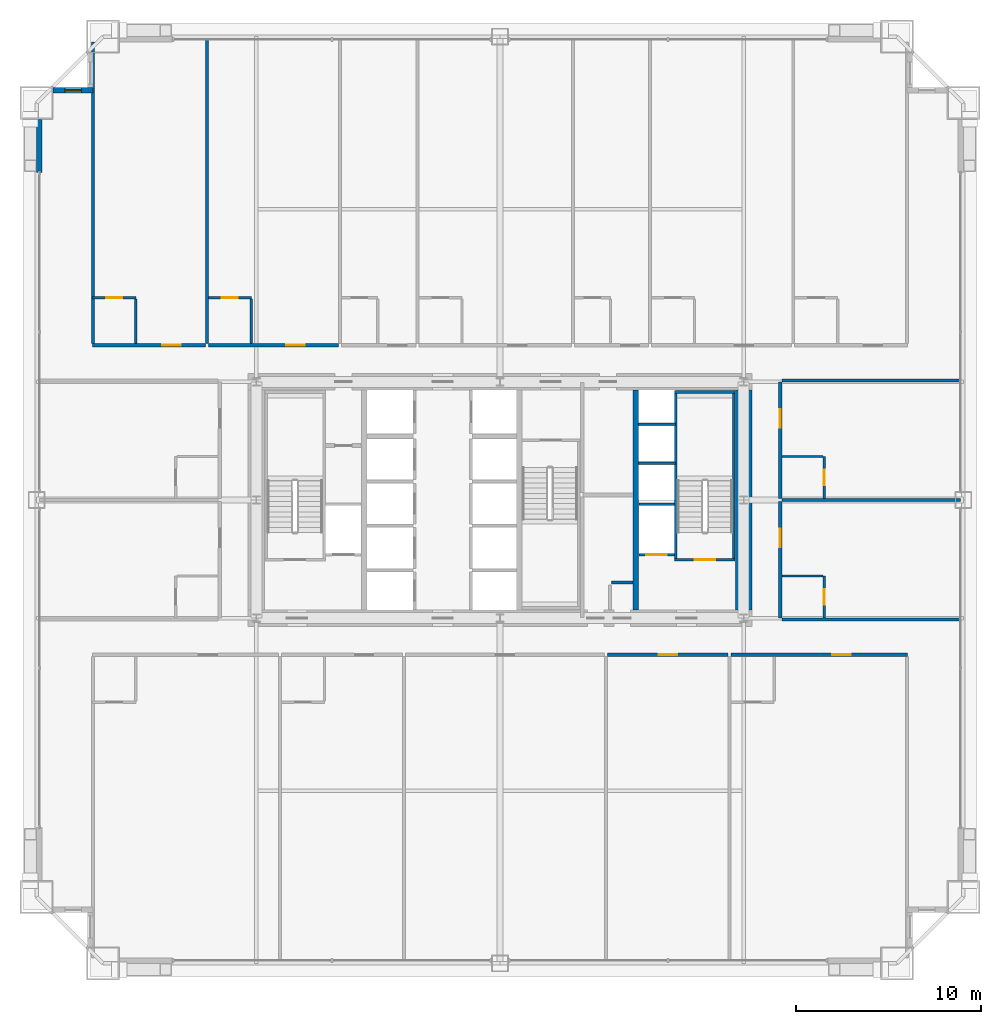
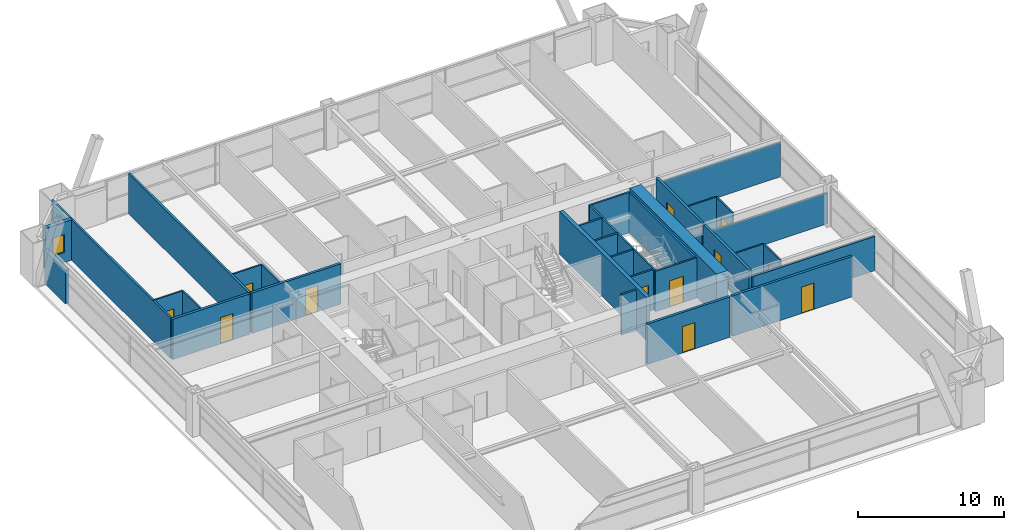
# One storey, part 41 of 43: 32 walls, 12 doors, 1 window, 13 openings.
"""IFC4 building model written with IfcOpenShell, lengths in metres."""

from ifc_helpers import new_model, si_unit, direction, frame, frame_2d, origin, place, context, subcontext, project, spatial, rectangle, extrude, source, transform, mapped, material, layer, layer_set, type_object, element, fill, save


model = new_model("IFC4")

# Units and contexts
model_context = context("Model", 3, precision=1e-05, world=origin(), true_north=direction((0.0, 1.0)))
body_context = subcontext(model_context, "Body", "Model", "MODEL_VIEW")
ifc_project = project(units=[si_unit("LENGTHUNIT", "METRE"), si_unit("AREAUNIT", "SQUARE_METRE"), si_unit("VOLUMEUNIT", "CUBIC_METRE"), si_unit("PLANEANGLEUNIT", "RADIAN"), si_unit("MASSUNIT", "GRAM", prefix="KILO"), si_unit("THERMODYNAMICTEMPERATUREUNIT", "KELVIN"), si_unit("POWERUNIT", "WATT")], contexts=[model_context])

# Site, building, storey
site_placement = place(None, origin())
site = spatial("IfcSite", under=ifc_project, at=site_placement, CompositionType="ELEMENT")
building_placement = place(site_placement, origin())
building = spatial("IfcBuilding", under=site, at=building_placement, Name="Yuzanri Waterfront Tower", CompositionType="ELEMENT")
storey_placement = place(building_placement, frame((0.0, 0.0, 53.199951171875)))
storey = spatial("IfcBuildingStorey", under=building, at=storey_placement, Name="L13", CompositionType="ELEMENT", Elevation=53.199951171875)

# Wall, opening, door
ifc_material_1 = material(Name="Moisture-Resistant Gypsum Stud Wall", Category="gypsum")
ifc_layer_1 = layer(ifc_material_1, 0.1201171875)
ifc_layer_set_1 = layer_set([ifc_layer_1], Name="Moisture-Resistant Gypsum Stud Wall")
wall_type_1 = type_object("IfcWallType", Name="Bathroom and Kitchen Wet Partition 120", PredefinedType="PARTITIONING", material=ifc_layer_set_1)
wall_1_placement = place(storey_placement, frame((14.93994140625, 36.760009765625, 0.0), z_axis=(0.0, 0.0, 1.0), x_axis=(1.0, 0.0, 0.0)))
wall_1 = element("IfcWall", 1, at=wall_1_placement, inside=storey, type_object=wall_type_1, Name="L13 Partition UW-L13-N1-BN", PredefinedType="PARTITIONING", context=body_context, shape_type="SweptSolid", body=[
    extrude(rectangle(XDim=2.330078125, YDim=0.1201171875, at=frame_2d((1.1650390625, 0.0))), origin(), (0.0, 0.0, 1.0), 3.380126953125),
])
opening_1_placement = place(wall_1_placement, frame((0.739990234375, 0.0, 0.0)))
opening_1 = element("IfcOpeningElement", 2, at=opening_1_placement, cuts=wall_1, Name="Opening ID-0850", PredefinedType="OPENING", context=body_context, shape_type="SweptSolid", body=[
    extrude(rectangle(XDim=0.85009765625, YDim=2.10009765625, at=frame_2d((0.425048828125, 1.050048828125))), frame((0.0, 0.074951171875, 0.0), z_axis=(0.0, -1.0, 0.0), x_axis=(1.0, 0.0, 0.0)), (0.0, 0.0, 1.0), 0.14990234375),
])
ifc_material_2 = material(Name="Moisture-Resistant Lacquered Timber", Category="wood")
door_type_1 = type_object("IfcDoorType", Name="En-Suite Bathroom and Kitchen Swing Door 850x2100", OperationType="NOTDEFINED", PredefinedType="DOOR", material=ifc_material_2)
shared_shape_1 = source(origin(), body_context, "Body", "SweptSolid", [
    extrude(rectangle(XDim=0.85009765625, YDim=2.10009765625, at=frame_2d((0.425048828125, 1.050048828125))), frame((0.0, 0.02490234375, 0.0), z_axis=(0.0, -1.0, 0.0), x_axis=(1.0, 0.0, 0.0)), (0.0, 0.0, 1.0), 0.050048828125),
])
door_1_placement = place(opening_1_placement, origin())
door_1 = element("IfcDoor", 3, at=door_1_placement, inside=storey, type_object=door_type_1, Name="L13 Guest En-Suite Door", OperationType="SINGLE_SWING_LEFT", OverallHeight=2.10009765625, OverallWidth=0.85009765625, PredefinedType="DOOR", context=body_context, shape_type="MappedRepresentation", body=[
    mapped(shared_shape_1, transform((0.0, 0.0, 0.0), scale=1.0)),
])
fill(opening_1, door_1)

wall_2_placement = place(storey_placement, frame((21.197021484375, 36.760009765625, 0.0), z_axis=(0.0, 0.0, 1.0), x_axis=(1.0, 0.0, 0.0)))
wall_2 = element("IfcWall", 4, at=wall_2_placement, inside=storey, type_object=wall_type_1, Name="L13 Partition UW-L13-N2-BN", PredefinedType="PARTITIONING", context=body_context, shape_type="SweptSolid", body=[
    extrude(rectangle(XDim=2.330078125, YDim=0.1201171875, at=frame_2d((1.1650390625, 0.0))), origin(), (0.0, 0.0, 1.0), 3.380126953125),
])
opening_2_placement = place(wall_2_placement, frame((0.739990234375, 0.0, 0.0)))
opening_2 = element("IfcOpeningElement", 5, at=opening_2_placement, cuts=wall_2, Name="Opening ID-0850", PredefinedType="OPENING", context=body_context, shape_type="SweptSolid", body=[
    extrude(rectangle(XDim=0.85009765625, YDim=2.10009765625, at=frame_2d((0.425048828125, 1.050048828125))), frame((0.0, 0.074951171875, 0.0), z_axis=(0.0, -1.0, 0.0), x_axis=(1.0, 0.0, 0.0)), (0.0, 0.0, 1.0), 0.14990234375),
])
door_2_placement = place(opening_2_placement, origin())
door_2 = element("IfcDoor", 6, at=door_2_placement, inside=storey, type_object=door_type_1, Name="L13 Guest En-Suite Door", OperationType="SINGLE_SWING_LEFT", OverallHeight=2.10009765625, OverallWidth=0.85009765625, PredefinedType="DOOR", context=body_context, shape_type="MappedRepresentation", body=[
    mapped(shared_shape_1, transform((0.0, 0.0, 0.0), scale=1.0)),
])
fill(opening_2, door_2)

wall_3_placement = place(storey_placement, frame((54.56005859375, 19.409912109375, 0.0), z_axis=(0.0, 0.0, 1.0), x_axis=(0.0, 1.0, 0.0)))
wall_3 = element("IfcWall", 7, at=wall_3_placement, inside=storey, type_object=wall_type_1, Name="L13 Partition UW-L13-E1-BE2", PredefinedType="PARTITIONING", context=body_context, shape_type="SweptSolid", body=[
    extrude(rectangle(XDim=2.280029296875, YDim=0.1201171875, at=frame_2d((1.14013671875, 0.0))), origin(), (0.0, 0.0, 1.0), 3.380126953125),
])
opening_3_placement = place(wall_3_placement, frame((0.715087890625, 0.0, 0.0)))
opening_3 = element("IfcOpeningElement", 8, at=opening_3_placement, cuts=wall_3, Name="Opening ID-0850", PredefinedType="OPENING", context=body_context, shape_type="SweptSolid", body=[
    extrude(rectangle(XDim=0.85009765625, YDim=2.10009765625, at=frame_2d((0.425048828125, 1.050048828125))), frame((0.0, 0.074951171875, 0.0), z_axis=(0.0, -1.0, 0.0), x_axis=(1.0, 0.0, 0.0)), (0.0, 0.0, 1.0), 0.14990234375),
])
door_3_placement = place(opening_3_placement, origin())
door_3 = element("IfcDoor", 9, at=door_3_placement, inside=storey, type_object=door_type_1, Name="L13 Guest En-Suite Door", OperationType="SINGLE_SWING_LEFT", OverallHeight=2.10009765625, OverallWidth=0.85009765625, PredefinedType="DOOR", context=body_context, shape_type="MappedRepresentation", body=[
    mapped(shared_shape_1, transform((0.0, 0.0, 0.0), scale=1.0)),
])
fill(opening_3, door_3)

wall_4_placement = place(storey_placement, frame((54.56005859375, 25.8798828125, 0.0), z_axis=(0.0, 0.0, 1.0), x_axis=(0.0, 1.0, 0.0)))
wall_4 = element("IfcWall", 10, at=wall_4_placement, inside=storey, type_object=wall_type_1, Name="L13 Partition UW-L13-E2-BE2", PredefinedType="PARTITIONING", context=body_context, shape_type="SweptSolid", body=[
    extrude(rectangle(XDim=2.280029296875, YDim=0.1201171875, at=frame_2d((1.14013671875, 0.0))), origin(), (0.0, 0.0, 1.0), 3.380126953125),
])
opening_4_placement = place(wall_4_placement, frame((0.715087890625, 0.0, 0.0)))
opening_4 = element("IfcOpeningElement", 11, at=opening_4_placement, cuts=wall_4, Name="Opening ID-0850", PredefinedType="OPENING", context=body_context, shape_type="SweptSolid", body=[
    extrude(rectangle(XDim=0.85009765625, YDim=2.10009765625, at=frame_2d((0.425048828125, 1.050048828125))), frame((0.0, 0.074951171875, 0.0), z_axis=(0.0, -1.0, 0.0), x_axis=(1.0, 0.0, 0.0)), (0.0, 0.0, 1.0), 0.14990234375),
])
door_4_placement = place(opening_4_placement, origin())
door_4 = element("IfcDoor", 12, at=door_4_placement, inside=storey, type_object=door_type_1, Name="L13 Guest En-Suite Door", OperationType="SINGLE_SWING_LEFT", OverallHeight=2.10009765625, OverallWidth=0.85009765625, PredefinedType="DOOR", context=body_context, shape_type="MappedRepresentation", body=[
    mapped(shared_shape_1, transform((0.0, 0.0, 0.0), scale=1.0)),
])
fill(opening_4, door_4)

# Wall, opening, window
ifc_material_3 = material(Name="Honed Chongqing Dark Basalt Stone", Category="masonry")
ifc_layer_2 = layer(ifc_material_3, 0.300048828125)
ifc_layer_set_2 = layer_set([ifc_layer_2], Name="Honed Chongqing Dark Basalt Stone")
wall_type_2 = type_object("IfcWallType", Name="Bronze Rainscreen Insulated Spandrel Portal Wall 300", PredefinedType="SOLIDWALL", material=ifc_layer_set_2)
wall_5_placement = place(storey_placement, frame((14.949951171875, 48.0, 0.0), z_axis=(0.0, 0.0, 1.0), x_axis=(-1.0, 0.0, 0.0)))
wall_5 = element("IfcWall", 13, at=wall_5_placement, inside=storey, type_object=wall_type_2, Name="L13 Notched Corner Masonry Wall NW-X", PredefinedType="SOLIDWALL", context=body_context, shape_type="SweptSolid", body=[
    extrude(rectangle(XDim=2.14990234375, YDim=0.300048828125, at=frame_2d((1.074951171875, 0.0))), origin(), (0.0, 0.0, 1.0), 3.380126953125),
])
opening_5_placement = place(wall_5_placement, frame((0.625, 0.0, 0.85009765625)))
opening_5 = element("IfcOpeningElement", 14, at=opening_5_placement, cuts=wall_5, Name="Opening WN-05", PredefinedType="OPENING", context=body_context, shape_type="SweptSolid", body=[
    extrude(rectangle(XDim=0.89990234375, YDim=1.5, at=frame_2d((0.449951171875, 0.75))), frame((0.0, 0.1650390625, 0.0), z_axis=(0.0, -1.0, 0.0), x_axis=(1.0, 0.0, 0.0)), (0.0, 0.0, 1.0), 0.329833984375),
])
ifc_material_4 = material(Name="Double-Silver Low-E Insulated Glass", Category="glass")
window_type = type_object("IfcWindowType", Name="Anodized Bronze Service and Stairwell Smoke-Vent Window 900x1500", PartitioningType="SINGLE_PANEL", PredefinedType="WINDOW", material=ifc_material_4)
shared_shape_2 = source(origin(), body_context, "Body", "SweptSolid", [
    extrude(rectangle(XDim=0.89990234375, YDim=1.5, at=frame_2d((0.449951171875, 0.75))), frame((0.0, 0.030029296875, 0.0), z_axis=(0.0, -1.0, 0.0), x_axis=(1.0, 0.0, 0.0)), (0.0, 0.0, 1.0), 0.06005859375),
])
window_placement = place(opening_5_placement, origin())
window = element("IfcWindow", 15, at=window_placement, inside=storey, type_object=window_type, Name="L13 Notched Corner Window NW-X", OverallHeight=1.5, OverallWidth=0.89990234375, PartitioningType="SINGLE_PANEL", PredefinedType="WINDOW", context=body_context, shape_type="MappedRepresentation", body=[
    mapped(shared_shape_2, transform((0.0, 0.0, 0.0), scale=1.0)),
])
fill(opening_5, window)

# Wall, opening, door
ifc_material_5 = material(Name="Concrete C40", Category="concrete")
ifc_layer_3 = layer(ifc_material_5, 0.139892578125)
ifc_layer_set_3 = layer_set([ifc_layer_3], Name="Concrete C40")
wall_type_3 = type_object("IfcWallType", Name="Core Stair Liner and Hoistway Shaft Wall 140", PredefinedType="SOLIDWALL", material=ifc_layer_set_3)
wall_6_placement = place(storey_placement, frame((44.52001953125, 22.830078125, 0.0), z_axis=(0.0, 0.0, 1.0), x_axis=(1.0, 0.0, 0.0)))
wall_6 = element("IfcWall", 16, at=wall_6_placement, inside=storey, type_object=wall_type_3, Name="L13 Lift FL-02 Front Shaft Wall", PredefinedType="SOLIDWALL", context=body_context, shape_type="SweptSolid", body=[
    extrude(rectangle(XDim=1.919921875, YDim=0.139892578125, at=frame_2d((0.9599609375, 0.0))), origin(), (0.0, 0.0, 1.0), 3.380126953125),
])
opening_6_placement = place(wall_6_placement, frame((0.409912109375, 0.0, 0.0)))
opening_6 = element("IfcOpeningElement", 17, at=opening_6_placement, cuts=wall_6, Name="Opening LD-FL-02", PredefinedType="OPENING", context=body_context, shape_type="SweptSolid", body=[
    extrude(rectangle(XDim=1.10009765625, YDim=2.199951171875, at=frame_2d((0.550048828125, 1.10009765625))), frame((0.0, 0.0849609375, 0.0), z_axis=(0.0, -1.0, 0.0), x_axis=(1.0, 0.0, 0.0)), (0.0, 0.0, 1.0), 0.169677734375),
])
ifc_material_6 = material(Name="Brushed Bronze and Stainless Steel Cab", Category="steel")
door_type_2 = type_object("IfcDoorType", Name="Center-Parting Bronze Lift Landing Sliding Door 1100x2200", OperationType="NOTDEFINED", PredefinedType="DOOR", material=ifc_material_6)
shared_shape_3 = source(origin(), body_context, "Body", "SweptSolid", [
    extrude(rectangle(XDim=1.10009765625, YDim=2.199951171875, at=frame_2d((0.550048828125, 1.10009765625))), frame((0.0, 0.02490234375, 0.0), z_axis=(0.0, -1.0, 0.0), x_axis=(1.0, 0.0, 0.0)), (0.0, 0.0, 1.0), 0.050048828125),
])
door_5_placement = place(opening_6_placement, origin())
door_5 = element("IfcDoor", 18, at=door_5_placement, inside=storey, type_object=door_type_2, Name="L13 FL-02 Lift Landing Sliding Door", OperationType="SLIDING_TO_RIGHT", OverallHeight=2.199951171875, OverallWidth=1.10009765625, PredefinedType="DOOR", context=body_context, shape_type="MappedRepresentation", body=[
    mapped(shared_shape_3, transform((0.0, 0.0, 0.0), scale=1.0)),
])
fill(opening_6, door_5)

wall_7_placement = place(storey_placement, frame((46.4599609375, 22.570068359375, 0.0), z_axis=(0.0, 0.0, 1.0), x_axis=(1.0, 0.0, 0.0)))
wall_7 = element("IfcWall", 19, at=wall_7_placement, inside=storey, type_object=wall_type_3, Name="L13 Shaft Wall STW-L13-ST-02-S", PredefinedType="SOLIDWALL", context=body_context, shape_type="SweptSolid", body=[
    extrude(rectangle(XDim=3.280029296875, YDim=0.139892578125, at=frame_2d((1.64013671875, 0.0))), origin(), (0.0, 0.0, 1.0), 3.380126953125),
])
opening_7_placement = place(wall_7_placement, frame((1.090087890625, 0.0, 0.0)))
opening_7 = element("IfcOpeningElement", 20, at=opening_7_placement, cuts=wall_7, Name="Opening FD-1100", PredefinedType="OPENING", context=body_context, shape_type="SweptSolid", body=[
    extrude(rectangle(XDim=1.10009765625, YDim=2.199951171875, at=frame_2d((0.550048828125, 1.10009765625))), frame((0.0, 0.0849609375, 0.0), z_axis=(0.0, -1.0, 0.0), x_axis=(1.0, 0.0, 0.0)), (0.0, 0.0, 1.0), 0.169677734375),
])
ifc_material_7 = material(Name="Painted Galvanized Fire Steel", Category="steel")
door_type_3 = type_object("IfcDoorType", Name="Smoke-Proof Stair and Lobby Fire Door 1100x2200", OperationType="NOTDEFINED", PredefinedType="DOOR", material=ifc_material_7)
shared_shape_4 = source(origin(), body_context, "Body", "SweptSolid", [
    extrude(rectangle(XDim=1.10009765625, YDim=2.199951171875, at=frame_2d((0.550048828125, 1.10009765625))), frame((0.0, 0.02490234375, 0.0), z_axis=(0.0, -1.0, 0.0), x_axis=(1.0, 0.0, 0.0)), (0.0, 0.0, 1.0), 0.050048828125),
])
door_6_placement = place(opening_7_placement, origin())
door_6 = element("IfcDoor", 21, at=door_6_placement, inside=storey, type_object=door_type_3, Name="L13 Stair ST-02 Fire Door", OperationType="SINGLE_SWING_RIGHT", OverallHeight=2.199951171875, OverallWidth=1.10009765625, PredefinedType="DOOR", context=body_context, shape_type="MappedRepresentation", body=[
    mapped(shared_shape_4, transform((0.0, 0.0, 0.0), scale=1.0)),
])
fill(opening_7, door_6)

ifc_material_8 = material(Name="Autoclaved Aerated Concrete Blockwork", Category="masonry")
ifc_layer_4 = layer(ifc_material_8, 0.199951171875)
ifc_layer_set_4 = layer_set([ifc_layer_4], Name="Autoclaved Aerated Concrete Blockwork")
wall_type_4 = type_object("IfcWallType", Name="Corridor and Unit Party Fire Wall 200", PredefinedType="PARTITIONING", material=ifc_layer_set_4)
wall_8_placement = place(storey_placement, frame((42.81591796875, 17.419921875, 0.0), z_axis=(0.0, 0.0, 1.0), x_axis=(1.0, 0.0, 0.0)))
wall_8 = element("IfcWall", 22, at=wall_8_placement, inside=storey, type_object=wall_type_4, Name="L13 Partition UW-L13-S4-CN", PredefinedType="PARTITIONING", context=body_context, shape_type="SweptSolid", body=[
    extrude(rectangle(XDim=6.546142578125, YDim=0.199951171875, at=frame_2d((3.27294921875, 0.0))), origin(), (0.0, 0.0, 1.0), 3.380126953125),
])
opening_8_placement = place(wall_8_placement, frame((2.77294921875, 0.0, 0.0)))
opening_8 = element("IfcOpeningElement", 23, at=opening_8_placement, cuts=wall_8, Name="Opening FD-1000", PredefinedType="OPENING", context=body_context, shape_type="SweptSolid", body=[
    extrude(rectangle(XDim=1.0, YDim=2.199951171875, at=frame_2d((0.5, 1.10009765625))), frame((0.0, 0.11474609375, 0.0), z_axis=(0.0, -1.0, 0.0), x_axis=(1.0, 0.0, 0.0)), (0.0, 0.0, 1.0), 0.229736328125),
])
ifc_material_9 = material(Name="Engineered Oak Fire-Rated Timber", Category="wood")
door_type_4 = type_object("IfcDoorType", Name="Guestroom and Apartment Entrance Fire Door 1000x2200", OperationType="NOTDEFINED", PredefinedType="DOOR", material=ifc_material_9)
shared_shape_5 = source(origin(), body_context, "Body", "SweptSolid", [
    extrude(rectangle(XDim=1.0, YDim=2.199951171875, at=frame_2d((0.5, 1.10009765625))), frame((0.0, 0.02490234375, 0.0), z_axis=(0.0, -1.0, 0.0), x_axis=(1.0, 0.0, 0.0)), (0.0, 0.0, 1.0), 0.050048828125),
])
door_7_placement = place(opening_8_placement, origin())
door_7 = element("IfcDoor", 24, at=door_7_placement, inside=storey, type_object=door_type_4, Name="L13 Summit Meeting Room Entrance Door", OperationType="SINGLE_SWING_LEFT", OverallHeight=2.199951171875, OverallWidth=1.0, PredefinedType="DOOR", context=body_context, shape_type="MappedRepresentation", body=[
    mapped(shared_shape_5, transform((0.0, 0.0, 0.0), scale=1.0)),
])
fill(opening_8, door_7)

wall_9_placement = place(storey_placement, frame((49.52197265625, 17.419921875, 0.0), z_axis=(0.0, 0.0, 1.0), x_axis=(1.0, 0.0, 0.0)))
wall_9 = element("IfcWall", 25, at=wall_9_placement, inside=storey, type_object=wall_type_4, Name="L13 Partition UW-L13-S5-CN", PredefinedType="PARTITIONING", context=body_context, shape_type="SweptSolid", body=[
    extrude(rectangle(XDim=9.5380859375, YDim=0.199951171875, at=frame_2d((4.76904296875, 0.0))), origin(), (0.0, 0.0, 1.0), 3.380126953125),
])
opening_9_placement = place(wall_9_placement, frame((5.47412109375, 0.0, 0.0)))
opening_9 = element("IfcOpeningElement", 26, at=opening_9_placement, cuts=wall_9, Name="Opening FD-1000", PredefinedType="OPENING", context=body_context, shape_type="SweptSolid", body=[
    extrude(rectangle(XDim=1.0, YDim=2.199951171875, at=frame_2d((0.5, 1.10009765625))), frame((0.0, 0.11474609375, 0.0), z_axis=(0.0, -1.0, 0.0), x_axis=(1.0, 0.0, 0.0)), (0.0, 0.0, 1.0), 0.229736328125),
])
door_8_placement = place(opening_9_placement, origin())
door_8 = element("IfcDoor", 27, at=door_8_placement, inside=storey, type_object=door_type_4, Name="L13 Corner Suite Entrance Door", OperationType="SINGLE_SWING_RIGHT", OverallHeight=2.199951171875, OverallWidth=1.0, PredefinedType="DOOR", context=body_context, shape_type="MappedRepresentation", body=[
    mapped(shared_shape_5, transform((0.0, 0.0, 0.0), scale=1.0)),
])
fill(opening_9, door_8)

wall_10_placement = place(storey_placement, frame((14.93994140625, 34.179931640625, 0.0), z_axis=(0.0, 0.0, 1.0), x_axis=(1.0, 0.0, 0.0)))
wall_10 = element("IfcWall", 28, at=wall_10_placement, inside=storey, type_object=wall_type_4, Name="L13 Partition UW-L13-N1-CS", PredefinedType="PARTITIONING", context=body_context, shape_type="SweptSolid", body=[
    extrude(rectangle(XDim=6.09716796875, YDim=0.199951171875, at=frame_2d((3.048583984375, 0.0))), origin(), (0.0, 0.0, 1.0), 3.380126953125),
])
opening_10_placement = place(wall_10_placement, frame((3.75390625, 0.0, 0.0)))
opening_10 = element("IfcOpeningElement", 29, at=opening_10_placement, cuts=wall_10, Name="Opening FD-1000", PredefinedType="OPENING", context=body_context, shape_type="SweptSolid", body=[
    extrude(rectangle(XDim=1.0, YDim=2.199951171875, at=frame_2d((0.5, 1.10009765625))), frame((0.0, 0.11474609375, 0.0), z_axis=(0.0, -1.0, 0.0), x_axis=(1.0, 0.0, 0.0)), (0.0, 0.0, 1.0), 0.229736328125),
])
door_9_placement = place(opening_10_placement, origin())
door_9 = element("IfcDoor", 30, at=door_9_placement, inside=storey, type_object=door_type_4, Name="L13 Superior Twin Junior Suite Entrance Door", OperationType="SINGLE_SWING_RIGHT", OverallHeight=2.199951171875, OverallWidth=1.0, PredefinedType="DOOR", context=body_context, shape_type="MappedRepresentation", body=[
    mapped(shared_shape_5, transform((0.0, 0.0, 0.0), scale=1.0)),
])
fill(opening_10, door_9)

wall_11_placement = place(storey_placement, frame((21.197021484375, 34.179931640625, 0.0), z_axis=(0.0, 0.0, 1.0), x_axis=(1.0, 0.0, 0.0)))
wall_11 = element("IfcWall", 31, at=wall_11_placement, inside=storey, type_object=wall_type_4, Name="L13 Partition UW-L13-N2-CS", PredefinedType="PARTITIONING", context=body_context, shape_type="SweptSolid", body=[
    extrude(rectangle(XDim=7.06298828125, YDim=0.199951171875, at=frame_2d((3.531494140625, 0.0))), origin(), (0.0, 0.0, 1.0), 3.380126953125),
])
opening_11_placement = place(wall_11_placement, frame((4.237060546875, 0.0, 0.0)))
opening_11 = element("IfcOpeningElement", 32, at=opening_11_placement, cuts=wall_11, Name="Opening FD-1000", PredefinedType="OPENING", context=body_context, shape_type="SweptSolid", body=[
    extrude(rectangle(XDim=1.0, YDim=2.199951171875, at=frame_2d((0.5, 1.10009765625))), frame((0.0, 0.11474609375, 0.0), z_axis=(0.0, -1.0, 0.0), x_axis=(1.0, 0.0, 0.0)), (0.0, 0.0, 1.0), 0.229736328125),
])
door_10_placement = place(opening_11_placement, origin())
door_10 = element("IfcDoor", 33, at=door_10_placement, inside=storey, type_object=door_type_4, Name="L13 Superior Twin Junior Suite Entrance Door", OperationType="SINGLE_SWING_RIGHT", OverallHeight=2.199951171875, OverallWidth=1.0, PredefinedType="DOOR", context=body_context, shape_type="MappedRepresentation", body=[
    mapped(shared_shape_5, transform((0.0, 0.0, 0.0), scale=1.0)),
])
fill(opening_11, door_10)

wall_12_placement = place(storey_placement, frame((52.179931640625, 19.409912109375, 0.0), z_axis=(0.0, 0.0, 1.0), x_axis=(0.0, 1.0, 0.0)))
wall_12 = element("IfcWall", 34, at=wall_12_placement, inside=storey, type_object=wall_type_4, Name="L13 Partition UW-L13-E1-CW", PredefinedType="PARTITIONING", context=body_context, shape_type="SweptSolid", body=[
    extrude(rectangle(XDim=6.31005859375, YDim=0.199951171875, at=frame_2d((3.155029296875, 0.0))), origin(), (0.0, 0.0, 1.0), 3.380126953125),
])
opening_12_placement = place(wall_12_placement, frame((3.8349609375, 0.0, 0.0)))
opening_12 = element("IfcOpeningElement", 35, at=opening_12_placement, cuts=wall_12, Name="Opening FD-1000", PredefinedType="OPENING", context=body_context, shape_type="SweptSolid", body=[
    extrude(rectangle(XDim=1.0, YDim=2.199951171875, at=frame_2d((0.5, 1.10009765625))), frame((0.0, 0.11474609375, 0.0), z_axis=(0.0, -1.0, 0.0), x_axis=(1.0, 0.0, 0.0)), (0.0, 0.0, 1.0), 0.229736328125),
])
door_11_placement = place(opening_12_placement, origin())
door_11 = element("IfcDoor", 36, at=door_11_placement, inside=storey, type_object=door_type_4, Name="L13 East Suite Entrance Door", OperationType="SINGLE_SWING_RIGHT", OverallHeight=2.199951171875, OverallWidth=1.0, PredefinedType="DOOR", context=body_context, shape_type="MappedRepresentation", body=[
    mapped(shared_shape_5, transform((0.0, 0.0, 0.0), scale=1.0)),
])
fill(opening_12, door_11)

wall_13_placement = place(storey_placement, frame((52.179931640625, 25.8798828125, 0.0), z_axis=(0.0, 0.0, 1.0), x_axis=(0.0, 1.0, 0.0)))
wall_13 = element("IfcWall", 37, at=wall_13_placement, inside=storey, type_object=wall_type_4, Name="L13 Partition UW-L13-E2-CW", PredefinedType="PARTITIONING", context=body_context, shape_type="SweptSolid", body=[
    extrude(rectangle(XDim=6.31005859375, YDim=0.199951171875, at=frame_2d((3.155029296875, 0.0))), origin(), (0.0, 0.0, 1.0), 3.380126953125),
])
opening_13_placement = place(wall_13_placement, frame((3.8349609375, 0.0, 0.0)))
opening_13 = element("IfcOpeningElement", 38, at=opening_13_placement, cuts=wall_13, Name="Opening FD-1000", PredefinedType="OPENING", context=body_context, shape_type="SweptSolid", body=[
    extrude(rectangle(XDim=1.0, YDim=2.199951171875, at=frame_2d((0.5, 1.10009765625))), frame((0.0, 0.11474609375, 0.0), z_axis=(0.0, -1.0, 0.0), x_axis=(1.0, 0.0, 0.0)), (0.0, 0.0, 1.0), 0.229736328125),
])
door_12_placement = place(opening_13_placement, origin())
door_12 = element("IfcDoor", 39, at=door_12_placement, inside=storey, type_object=door_type_4, Name="L13 East Suite Entrance Door", OperationType="SINGLE_SWING_RIGHT", OverallHeight=2.199951171875, OverallWidth=1.0, PredefinedType="DOOR", context=body_context, shape_type="MappedRepresentation", body=[
    mapped(shared_shape_5, transform((0.0, 0.0, 0.0), scale=1.0)),
])
fill(opening_13, door_12)

# Walls
ifc_material_10 = material(Name="Concrete C60", Category="concrete")
ifc_layer_5 = layer(ifc_material_10, 0.89990234375)
ifc_layer_set_5 = layer_set([ifc_layer_5], Name="Concrete C60")
wall_type_5 = type_object("IfcWallType", Name="Concrete C60 Lower Zone Core Shear Wall 900", PredefinedType="SHEAR", material=ifc_layer_set_5)
shared_shape_6 = source(origin(), body_context, "Body", "SweptSolid", [
    extrude(rectangle(XDim=11.89990234375, YDim=0.89990234375, at=frame_2d((5.949951171875, 0.0))), origin(), (0.0, 0.0, 1.0), 3.60009765625),
])
wall_14_placement = place(storey_placement, frame((50.199951171875, 19.85009765625, 0.0), z_axis=(0.0, 0.0, 1.0), x_axis=(0.0, 1.0, 0.0)))
element("IfcWall", 40, at=wall_14_placement, inside=storey, type_object=wall_type_5, Name="L13 Core East Shear Wall", PredefinedType="SHEAR", context=body_context, shape_type="MappedRepresentation", body=[
    mapped(shared_shape_6, transform((0.0, 0.0, 0.0), scale=1.0)),
])
ifc_material_11 = material(Name="Concrete C50", Category="concrete")
ifc_layer_6 = layer(ifc_material_11, 0.300048828125)
ifc_layer_set_6 = layer_set([ifc_layer_6], Name="Concrete C50")
wall_type_6 = type_object("IfcWallType", Name="Concrete C50 Internal Core Shaft Structural Wall 300", PredefinedType="SOLIDWALL", material=ifc_layer_set_6)
shared_shape_7 = source(origin(), body_context, "Body", "SweptSolid", [
    extrude(rectangle(XDim=11.89990234375, YDim=0.300048828125, at=frame_2d((5.949951171875, 0.0))), origin(), (0.0, 0.0, 1.0), 3.60009765625),
])
wall_15_placement = place(storey_placement, frame((44.35009765625, 19.85009765625, 0.0), z_axis=(0.0, 0.0, 1.0), x_axis=(0.0, 1.0, 0.0)))
element("IfcWall", 41, at=wall_15_placement, inside=storey, type_object=wall_type_6, Name="L13 Core Internal Structural Web Wall 3", PredefinedType="SOLIDWALL", context=body_context, shape_type="MappedRepresentation", body=[
    mapped(shared_shape_7, transform((0.0, 0.0, 0.0), scale=1.0)),
])
shared_shape_8 = source(origin(), body_context, "Body", "SweptSolid", [
    extrude(rectangle(XDim=2.849853515625, YDim=0.300048828125, at=frame_2d((1.4248046875, 0.0))), origin(), (0.0, 0.0, 1.0), 2.775146484375),
])
wall_16_placement = place(storey_placement, frame((12.050048828125, 43.550048828125, 0.0), z_axis=(0.0, 0.0, 1.0), x_axis=(0.0, 1.0, 0.0)))
element("IfcWall", 42, at=wall_16_placement, inside=storey, type_object=wall_type_2, Name="L13 W Right Braced Masonry Shoulder", PredefinedType="SOLIDWALL", context=body_context, shape_type="MappedRepresentation", body=[
    mapped(shared_shape_8, transform((0.0, 0.0, 0.0), scale=1.0)),
])
shared_shape_9 = source(origin(), body_context, "Body", "SweptSolid", [
    extrude(rectangle(XDim=1.919921875, YDim=0.139892578125, at=frame_2d((0.9599609375, 0.0))), origin(), (0.0, 0.0, 1.0), 3.380126953125),
])
wall_17_placement = place(storey_placement, frame((44.52001953125, 25.570068359375, 0.0), z_axis=(0.0, 0.0, 1.0), x_axis=(1.0, 0.0, 0.0)))
element("IfcWall", 43, at=wall_17_placement, inside=storey, type_object=wall_type_3, Name="L13 Lift FL-02 Back Shaft Wall", PredefinedType="SOLIDWALL", context=body_context, shape_type="MappedRepresentation", body=[
    mapped(shared_shape_9, transform((0.0, 0.0, 0.0), scale=1.0)),
])
shared_shape_10 = source(origin(), body_context, "Body", "SweptSolid", [
    extrude(rectangle(XDim=2.0, YDim=0.139892578125, at=frame_2d((1.0, 0.0))), origin(), (0.0, 0.0, 1.0), 3.380126953125),
])
for number, where, z_axis, x_axis, name in (
    (44, (44.5, 27.800048828125, 0.0), (0.0, 0.0, 1.0), (1.0, 0.0, 0.0), "L13 Lift PL-09 Divider Wall"),
    (45, (44.5, 29.89990234375, 0.0), (0.0, 0.0, 1.0), (1.0, 0.0, 0.0), "L13 Lift PL-10 Divider Wall"),
):
    element("IfcWall", number, at=place(storey_placement, frame(where, z_axis=z_axis, x_axis=x_axis)), inside=storey, type_object=wall_type_3, Name=name, PredefinedType="SOLIDWALL", context=body_context, shape_type="MappedRepresentation", body=[
        mapped(shared_shape_10, transform((0.0, 0.0, 0.0), scale=1.0)),
    ])
ifc_material_12 = material(Name="Gypsum Fireboard Acoustic Stud Wall", Category="gypsum")
ifc_layer_7 = layer(ifc_material_12, 0.159912109375)
ifc_layer_set_7 = layer_set([ifc_layer_7], Name="Gypsum Fireboard Acoustic Stud Wall")
wall_type_7 = type_object("IfcWallType", Name="Acoustic Suite Demising Partition 160", PredefinedType="PARTITIONING", material=ifc_layer_set_7)
shared_shape_11 = source(origin(), body_context, "Body", "SweptSolid", [
    extrude(rectangle(XDim=9.669921875, YDim=0.159912109375, at=frame_2d((4.8349609375, 0.0))), origin(), (0.0, 0.0, 1.0), 2.574951171875),
])
wall_18_placement = place(storey_placement, frame((52.280029296875, 25.800048828125, 0.0), z_axis=(0.0, 0.0, 1.0), x_axis=(1.0, 0.0, 0.0)))
element("IfcWall", 46, at=wall_18_placement, inside=storey, type_object=wall_type_7, Name="L13-E1 Wing Party Wall", PredefinedType="PARTITIONING", context=body_context, shape_type="MappedRepresentation", body=[
    mapped(shared_shape_11, transform((0.0, 0.0, 0.0), scale=1.0)),
])
shared_shape_12 = source(origin(), body_context, "Body", "SweptSolid", [
    extrude(rectangle(XDim=9.669921875, YDim=0.159912109375, at=frame_2d((4.8349609375, 0.0))), origin(), (0.0, 0.0, 1.0), 2.875),
])
for number, where, z_axis, x_axis, name in (
    (47, (52.280029296875, 19.330078125, 0.0), (0.0, 0.0, 1.0), (1.0, 0.0, 0.0), "L13-E1 Wing South End Wall"),
    (48, (52.280029296875, 32.27001953125, 0.0), (0.0, 0.0, 1.0), (1.0, 0.0, 0.0), "L13-E2 Wing North End Wall"),
):
    element("IfcWall", number, at=place(storey_placement, frame(where, z_axis=z_axis, x_axis=x_axis)), inside=storey, type_object=wall_type_7, Name=name, PredefinedType="PARTITIONING", context=body_context, shape_type="MappedRepresentation", body=[
        mapped(shared_shape_12, transform((0.0, 0.0, 0.0), scale=1.0)),
    ])
shared_shape_13 = source(origin(), body_context, "Body", "SweptSolid", [
    extrude(rectangle(XDim=3.280029296875, YDim=0.139892578125, at=frame_2d((1.64013671875, 0.0))), origin(), (0.0, 0.0, 1.0), 3.380126953125),
])
wall_19_placement = place(storey_placement, frame((46.4599609375, 31.64990234375, 0.0), z_axis=(0.0, 0.0, 1.0), x_axis=(1.0, 0.0, 0.0)))
element("IfcWall", 49, at=wall_19_placement, inside=storey, type_object=wall_type_3, Name="L13 Stair ST-02 North Shaft Wall", PredefinedType="SOLIDWALL", context=body_context, shape_type="MappedRepresentation", body=[
    mapped(shared_shape_13, transform((0.0, 0.0, 0.0), scale=1.0)),
])
shared_shape_14 = source(origin(), body_context, "Body", "SweptSolid", [
    extrude(rectangle(XDim=8.940185546875, YDim=0.139892578125, at=frame_2d((4.47021484375, 0.0))), origin(), (0.0, 0.0, 1.0), 3.380126953125),
])
for number, where, z_axis, x_axis, name in (
    (50, (46.530029296875, 22.639892578125, 0.0), (0.0, 0.0, 1.0), (0.0, 1.0, 0.0), "L13 Stair ST-02 West Shaft Wall"),
    (51, (49.669921875, 22.639892578125, 0.0), (0.0, 0.0, 1.0), (0.0, 1.0, 0.0), "L13 Stair ST-02 East Shaft Wall"),
):
    element("IfcWall", number, at=place(storey_placement, frame(where, z_axis=z_axis, x_axis=x_axis)), inside=storey, type_object=wall_type_3, Name=name, PredefinedType="SOLIDWALL", context=body_context, shape_type="MappedRepresentation", body=[
        mapped(shared_shape_14, transform((0.0, 0.0, 0.0), scale=1.0)),
    ])
shared_shape_15 = source(origin(), body_context, "Body", "SweptSolid", [
    extrude(rectangle(XDim=1.169921875, YDim=0.159912109375, at=frame_2d((0.5849609375, 0.0))), origin(), (0.0, 0.0, 1.0), 3.380126953125),
])
wall_20_placement = place(storey_placement, frame((43.030029296875, 21.320068359375, 0.0), z_axis=(0.0, 0.0, 1.0), x_axis=(1.0, 0.0, 0.0)))
element("IfcWall", 52, at=wall_20_placement, inside=storey, type_object=wall_type_7, Name="L13 East Wet Riser North Wall", PredefinedType="PARTITIONING", context=body_context, shape_type="MappedRepresentation", body=[
    mapped(shared_shape_15, transform((0.0, 0.0, 0.0), scale=1.0)),
])
shared_shape_16 = source(origin(), body_context, "Body", "SweptSolid", [
    extrude(rectangle(XDim=16.469970703125, YDim=0.159912109375, at=frame_2d((8.23486328125, 0.0))), origin(), (0.0, 0.0, 1.0), 3.380126953125),
])
wall_21_placement = place(storey_placement, frame((21.116943359375, 34.280029296875, 0.0), z_axis=(0.0, 0.0, 1.0), x_axis=(0.0, 1.0, 0.0)))
element("IfcWall", 53, at=wall_21_placement, inside=storey, type_object=wall_type_7, Name="L13-N1 Party Wall", PredefinedType="PARTITIONING", context=body_context, shape_type="MappedRepresentation", body=[
    mapped(shared_shape_16, transform((0.0, 0.0, 0.0), scale=1.0)),
])
shared_shape_17 = source(origin(), body_context, "Body", "SweptSolid", [
    extrude(rectangle(XDim=16.320068359375, YDim=0.159912109375, at=frame_2d((8.16015625, 0.0))), origin(), (0.0, 0.0, 1.0), 3.380126953125),
])
wall_22_placement = place(storey_placement, frame((14.949951171875, 34.280029296875, 0.0), z_axis=(0.0, 0.0, 1.0), x_axis=(0.0, 1.0, 0.0)))
element("IfcWall", 54, at=wall_22_placement, inside=storey, type_object=wall_type_7, Name="L13 North Band West End Wall", PredefinedType="PARTITIONING", context=body_context, shape_type="MappedRepresentation", body=[
    mapped(shared_shape_17, transform((0.0, 0.0, 0.0), scale=1.0)),
])
shared_shape_18 = source(origin(), body_context, "Body", "SweptSolid", [
    extrude(rectangle(XDim=2.419921875, YDim=0.1201171875, at=frame_2d((1.2099609375, 0.0))), origin(), (0.0, 0.0, 1.0), 3.380126953125),
])
for number, where, z_axis, x_axis, name in (
    (55, (17.27001953125, 34.280029296875, 0.0), (0.0, 0.0, 1.0), (0.0, 1.0, 0.0), "L13-N1 En-Suite Side Wall"),
    (56, (23.527099609375, 34.280029296875, 0.0), (0.0, 0.0, 1.0), (0.0, 1.0, 0.0), "L13-N2 En-Suite Side Wall"),
):
    element("IfcWall", number, at=place(storey_placement, frame(where, z_axis=z_axis, x_axis=x_axis)), inside=storey, type_object=wall_type_1, Name=name, PredefinedType="PARTITIONING", context=body_context, shape_type="MappedRepresentation", body=[
        mapped(shared_shape_18, transform((0.0, 0.0, 0.0), scale=1.0)),
    ])
shared_shape_19 = source(origin(), body_context, "Body", "SweptSolid", [
    extrude(rectangle(XDim=2.219970703125, YDim=0.1201171875, at=frame_2d((1.10986328125, 0.0))), origin(), (0.0, 0.0, 1.0), 3.380126953125),
])
for number, where, z_axis, x_axis, name in (
    (57, (52.280029296875, 21.68994140625, 0.0), (0.0, 0.0, 1.0), (1.0, 0.0, 0.0), "L13-E1 En-Suite Top Wall"),
    (58, (52.280029296875, 28.159912109375, 0.0), (0.0, 0.0, 1.0), (1.0, 0.0, 0.0), "L13-E2 En-Suite Top Wall"),
):
    element("IfcWall", number, at=place(storey_placement, frame(where, z_axis=z_axis, x_axis=x_axis)), inside=storey, type_object=wall_type_1, Name=name, PredefinedType="PARTITIONING", context=body_context, shape_type="MappedRepresentation", body=[
        mapped(shared_shape_19, transform((0.0, 0.0, 0.0), scale=1.0)),
    ])

save(model, "model.ifc")
